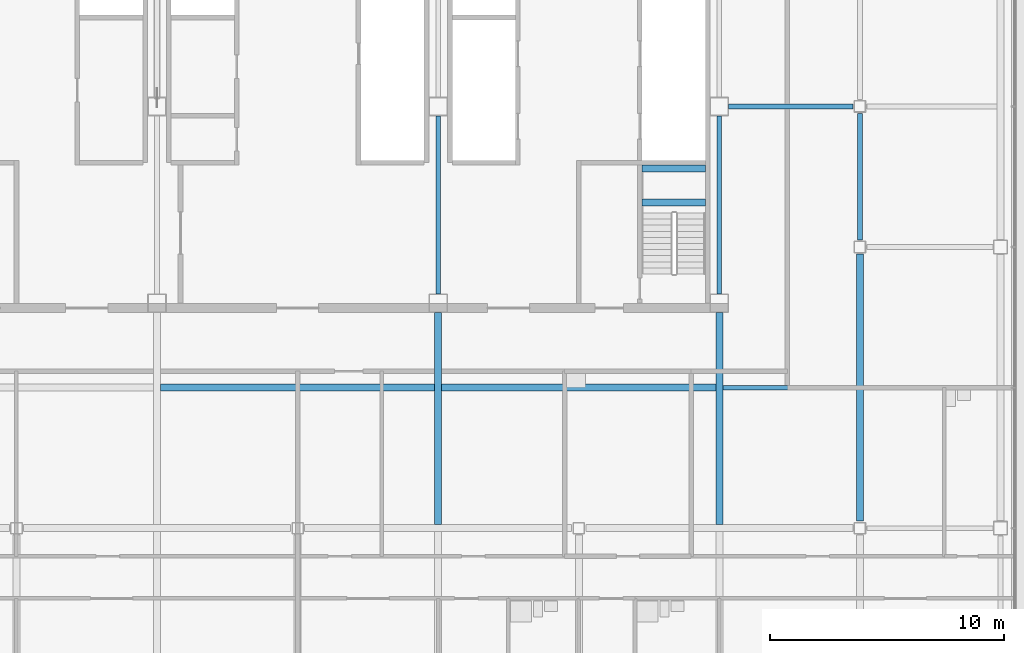
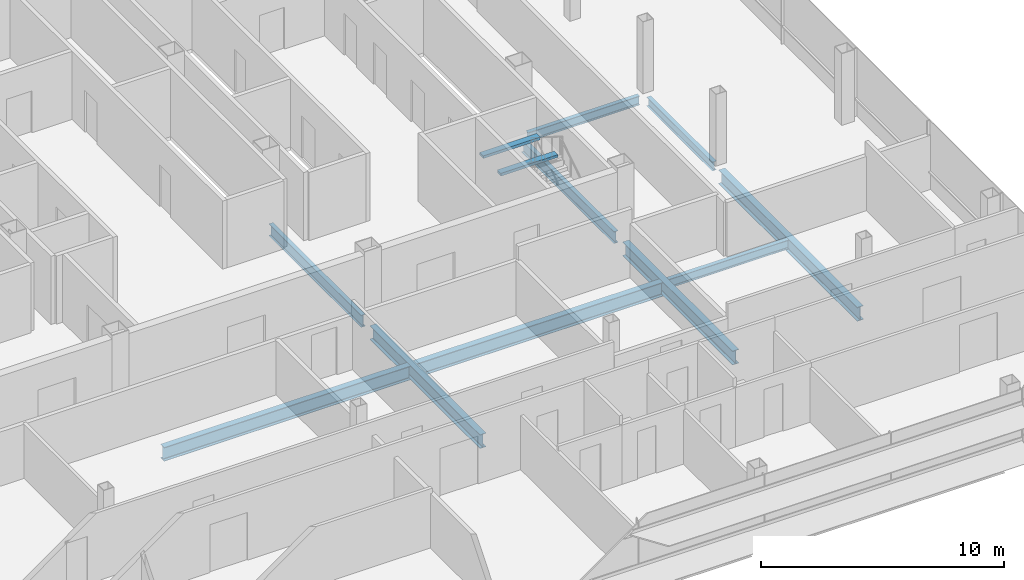
# One storey, part 11 of 27: 12 beams.
"""IFC4 building model written with IfcOpenShell, lengths in metres."""

from ifc_helpers import new_model, si_unit, direction, frame, origin, origin_2d, place, context, subcontext, project, spatial, rectangle, i_section, extrude, material, material_profile, profile_set, type_object, element, save


model = new_model("IFC4")

# Units and contexts
model_context = context("Model", 3, precision=1e-05, world=origin(), true_north=direction((0.0, 1.0)))
body_context = subcontext(model_context, "Body", "Model", "MODEL_VIEW")
ifc_project = project(units=[si_unit("LENGTHUNIT", "METRE"), si_unit("AREAUNIT", "SQUARE_METRE"), si_unit("VOLUMEUNIT", "CUBIC_METRE"), si_unit("PLANEANGLEUNIT", "RADIAN"), si_unit("MASSUNIT", "GRAM", prefix="KILO")], contexts=[model_context])

# Site, building, storey
site_placement = place(None, origin())
site = spatial("IfcSite", under=ifc_project, at=site_placement, CompositionType="ELEMENT")
building_placement = place(site_placement, origin())
building = spatial("IfcBuilding", under=site, at=building_placement, Name="Sorahane Residences", CompositionType="ELEMENT")
storey_placement = place(building_placement, frame((0.0, 0.0, 246.800048828125)))
storey = spatial("IfcBuildingStorey", under=building, at=storey_placement, Name="L58", CompositionType="ELEMENT", Elevation=246.800048828125)

# Beams
ifc_material_1 = material(Name="Concrete C40", Category="concrete")
ifc_material_profile_1 = material_profile(ifc_material_1, rectangle(XDim=0.300048828125, YDim=0.139892578125, at=origin_2d()), Name="300x140")
ifc_profile_set_1 = profile_set([ifc_material_profile_1], Name="Concrete C40")
beam_type_1 = type_object("IfcBeamType", Name="RC landing beam 300 x 140 Concrete C40", PredefinedType="BEAM", material=ifc_profile_set_1)
for number, where, z_axis, x_axis, name in (
    (1, (38.699951171875, 25.89990234375, 1.530029296875), (1.0, 0.0, 0.0), (0.0, 1.0, 0.0), "Landing beam"),
    (2, (38.699951171875, 27.35009765625, 1.530029296875), (1.0, 0.0, 0.0), (0.0, 1.0, 0.0), "Landing beam"),
):
    element("IfcBeam", number, at=place(storey_placement, frame(where, z_axis=z_axis, x_axis=x_axis)), inside=storey, type_object=beam_type_1, Name=name, PredefinedType="BEAM", context=body_context, shape_type="SweptSolid", body=[
        extrude(rectangle(XDim=0.300048828125, YDim=0.139892578125, at=origin_2d()), origin(), (0.0, 0.0, 1.0), 2.699951171875),
    ])
ifc_material_2 = material(Name="Steel Q355B", Category="steel")
ifc_material_profile_2 = material_profile(ifc_material_2, i_section(OverallWidth=0.199951171875, OverallDepth=0.449951171875, WebThickness=0.009033203125, FlangeThickness=0.013916015625, FilletRadius=0.02001953125, at=origin_2d()), Name="HN 450x200x9x14")
ifc_profile_set_2 = profile_set([ifc_material_profile_2], Name="Steel Q355B")
beam_type_2 = type_object("IfcBeamType", Name="Steel floor beam HN 450x200x9x14 Q355B", PredefinedType="BEAM", material=ifc_profile_set_2)
beam_1_placement = place(storey_placement, frame((48.0, 24.300048828125, -0.405029296875), z_axis=(0.0, 1.0, 0.0), x_axis=(-1.0, 0.0, 0.0)))
element("IfcBeam", 3, at=beam_1_placement, inside=storey, type_object=beam_type_2, Name="Beam L58 060", PredefinedType="BEAM", context=body_context, shape_type="SweptSolid", body=[
    extrude(i_section(OverallWidth=0.199951171875, OverallDepth=0.449951171875, WebThickness=0.009033203125, FlangeThickness=0.013916015625, FilletRadius=0.02001953125, at=origin_2d()), origin(), (0.0, 0.0, 1.0), 5.39990234375),
])
beam_2_placement = place(storey_placement, frame((42.14990234375, 18.0, -0.405029296875), z_axis=(1.0, 0.0, 0.0), x_axis=(0.0, 1.0, 0.0)))
element("IfcBeam", 4, at=beam_2_placement, inside=storey, type_object=beam_type_2, Name="Beam L58 083", PredefinedType="BEAM", context=body_context, shape_type="SweptSolid", body=[
    extrude(i_section(OverallWidth=0.199951171875, OverallDepth=0.449951171875, WebThickness=0.009033203125, FlangeThickness=0.013916015625, FilletRadius=0.02001953125, at=origin_2d()), origin(), (0.0, 0.0, 1.0), 5.7001953125),
])
beam_3_placement = place(storey_placement, frame((42.39990234375, 30.0, -0.405029296875), z_axis=(1.0, 0.0, 0.0), x_axis=(0.0, 1.0, 0.0)))
element("IfcBeam", 5, at=beam_3_placement, inside=storey, type_object=beam_type_2, Name="Beam L58 087", PredefinedType="BEAM", context=body_context, shape_type="SweptSolid", body=[
    extrude(i_section(OverallWidth=0.199951171875, OverallDepth=0.449951171875, WebThickness=0.009033203125, FlangeThickness=0.013916015625, FilletRadius=0.02001953125, at=origin_2d()), origin(), (0.0, 0.0, 1.0), 5.300048828125),
])
ifc_material_3 = material(Name="Steel Q355B", Category="steel")
ifc_material_profile_3 = material_profile(ifc_material_3, i_section(OverallWidth=0.199951171875, OverallDepth=0.60009765625, WebThickness=0.010986328125, FlangeThickness=0.01708984375, FilletRadius=0.02392578125, at=origin_2d()), Name="HN 600x200x11x17")
ifc_profile_set_3 = profile_set([ifc_material_profile_3], Name="Steel Q355B")
beam_type_3 = type_object("IfcBeamType", Name="Steel floor beam HN 600x200x11x17 Q355B", PredefinedType="BEAM", material=ifc_profile_set_3)
for number, where, z_axis, x_axis, name in (
    (6, (30.0, 22.0, -0.47998046875), (0.0, 1.0, 0.0), (-1.0, 0.0, 0.0), "Beam L58 046"),
    (7, (42.0, 22.0, -0.47998046875), (0.0, 1.0, 0.0), (-1.0, 0.0, 0.0), "Beam L58 054"),
):
    element("IfcBeam", number, at=place(storey_placement, frame(where, z_axis=z_axis, x_axis=x_axis)), inside=storey, type_object=beam_type_3, Name=name, PredefinedType="BEAM", context=body_context, shape_type="SweptSolid", body=[
        extrude(i_section(OverallWidth=0.199951171875, OverallDepth=0.60009765625, WebThickness=0.010986328125, FlangeThickness=0.01708984375, FilletRadius=0.02392578125, at=origin_2d()), origin(), (0.0, 0.0, 1.0), 7.60009765625),
    ])
ifc_material_4 = material(Name="Steel Q355B", Category="steel")
ifc_material_profile_4 = material_profile(ifc_material_4, i_section(OverallWidth=0.300048828125, OverallDepth=0.699951171875, WebThickness=0.012939453125, FlangeThickness=0.02392578125, FilletRadius=0.028076171875, at=origin_2d()), Name="HN 700x300x13x24")
ifc_profile_set_4 = profile_set([ifc_material_profile_4], Name="Steel Q355B")
beam_type_4 = type_object("IfcBeamType", Name="Steel floor beam HN 700x300x13x24 Q355B", PredefinedType="BEAM", material=ifc_profile_set_4)
for number, where, z_axis, x_axis, name in (
    (8, (30.0, 12.14990234375, -0.530029296875), (0.0, 1.0, 0.0), (-1.0, 0.0, 0.0), "Beam L58 045"),
    (9, (42.0, 12.14990234375, -0.530029296875), (0.0, 1.0, 0.0), (-1.0, 0.0, 0.0), "Beam L58 053"),
):
    element("IfcBeam", number, at=place(storey_placement, frame(where, z_axis=z_axis, x_axis=x_axis)), inside=storey, type_object=beam_type_4, Name=name, PredefinedType="BEAM", context=body_context, shape_type="SweptSolid", body=[
        extrude(i_section(OverallWidth=0.300048828125, OverallDepth=0.699951171875, WebThickness=0.012939453125, FlangeThickness=0.02392578125, FilletRadius=0.028076171875, at=origin_2d()), origin(), (0.0, 0.0, 1.0), 9.050048828125),
    ])
beam_4_placement = place(storey_placement, frame((48.0, 12.300048828125, -0.530029296875), z_axis=(0.0, 1.0, 0.0), x_axis=(-1.0, 0.0, 0.0)))
element("IfcBeam", 10, at=beam_4_placement, inside=storey, type_object=beam_type_4, Name="Beam L58 059", PredefinedType="BEAM", context=body_context, shape_type="SweptSolid", body=[
    extrude(i_section(OverallWidth=0.300048828125, OverallDepth=0.699951171875, WebThickness=0.012939453125, FlangeThickness=0.02392578125, FilletRadius=0.028076171875, at=origin_2d()), origin(), (0.0, 0.0, 1.0), 11.39990234375),
])
for number, where, z_axis, x_axis, name in (
    (11, (18.14990234375, 18.0, -0.530029296875), (1.0, 0.0, 0.0), (0.0, 1.0, 0.0), "Beam L58 081"),
    (12, (30.14990234375, 18.0, -0.530029296875), (1.0, 0.0, 0.0), (0.0, 1.0, 0.0), "Beam L58 082"),
):
    element("IfcBeam", number, at=place(storey_placement, frame(where, z_axis=z_axis, x_axis=x_axis)), inside=storey, type_object=beam_type_4, Name=name, PredefinedType="BEAM", context=body_context, shape_type="SweptSolid", body=[
        extrude(i_section(OverallWidth=0.300048828125, OverallDepth=0.699951171875, WebThickness=0.012939453125, FlangeThickness=0.02392578125, FilletRadius=0.028076171875, at=origin_2d()), origin(), (0.0, 0.0, 1.0), 11.7001953125),
    ])

save(model, "model.ifc")
